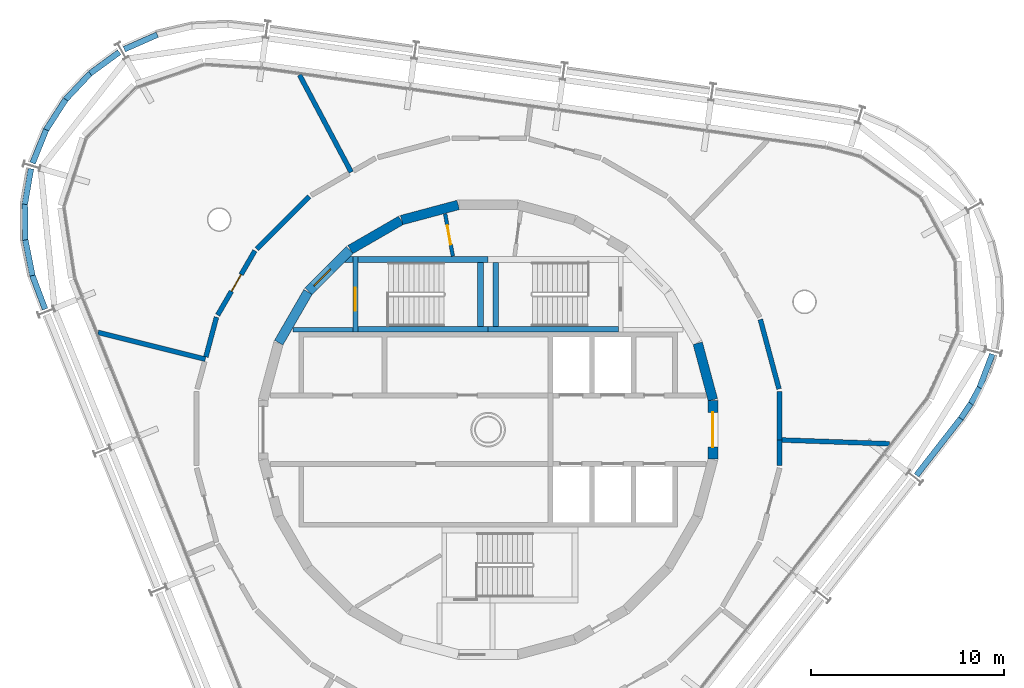
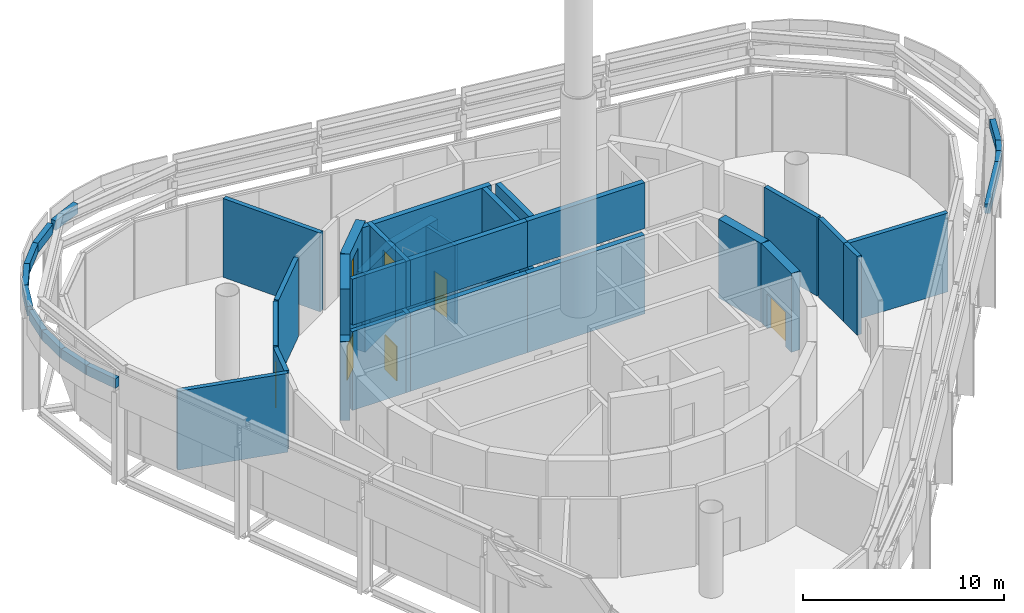
# One storey, part 11 of 15: 47 walls, 7 doors, 7 openings.
"""IFC4 building model written with IfcOpenShell, lengths in metres."""

from ifc_helpers import new_model, si_unit, direction, frame, frame_2d, origin, place, context, subcontext, project, spatial, polyline, rectangle, outline, extrude, material, layer, layer_set, type_object, element, fill, save


model = new_model("IFC4")

# Units and contexts
model_context = context("Model", 3, precision=1e-05, world=origin(), true_north=direction((0.0, 1.0)))
body_context = subcontext(model_context, "Body", "Model", "MODEL_VIEW")
ifc_project = project(units=[si_unit("LENGTHUNIT", "METRE"), si_unit("AREAUNIT", "SQUARE_METRE"), si_unit("VOLUMEUNIT", "CUBIC_METRE"), si_unit("PLANEANGLEUNIT", "RADIAN"), si_unit("MASSUNIT", "GRAM", prefix="KILO")], contexts=[model_context])

# Site, building, storey
site_placement = place(None, origin())
site = spatial("IfcSite", under=ifc_project, at=site_placement, CompositionType="ELEMENT")
building_placement = place(site_placement, origin())
building = spatial("IfcBuilding", under=site, at=building_placement, Name="Spindle Arch Residences", CompositionType="ELEMENT")
storey_placement = place(building_placement, frame((0.0, 0.0, 366.199951171875)))
storey = spatial("IfcBuildingStorey", under=building, at=storey_placement, Name="L94", CompositionType="ELEMENT", Elevation=366.199951171875)

# Wall, opening, door
ifc_material_1 = material(Name="Concrete C50/60", Category="concrete")
ifc_layer_1 = layer(ifc_material_1, 0.5)
ifc_layer_set_1 = layer_set([ifc_layer_1], Name="Core outline wall 500")
wall_type_1 = type_object("IfcWallType", Name="Core outline wall 500", PredefinedType="SHEAR", material=ifc_layer_set_1)
wall_1_placement = place(storey_placement, frame((11.647216796875, -1.516357421875, 0.0), z_axis=(0.0, 0.0, 1.0), x_axis=(0.0, 1.0, 0.0)))
wall_1 = element("IfcWall", 1, at=wall_1_placement, inside=storey, type_object=wall_type_1, Name="Core outline wall 6", PredefinedType="SHEAR", context=body_context, shape_type="SweptSolid", body=[
    extrude(rectangle(XDim=3.03271484375, YDim=0.5, at=frame_2d((1.516357421875, 0.0))), origin(), (0.0, 0.0, 1.0), 4.800048828125),
])
opening_1_placement = place(wall_1_placement, frame((0.6162109375, 0.0, 0.0)))
opening_1 = element("IfcOpeningElement", 2, at=opening_1_placement, cuts=wall_1, Name="Opening L94-FE01", PredefinedType="OPENING", context=body_context, shape_type="SweptSolid", body=[
    extrude(rectangle(XDim=1.800048828125, YDim=2.10009765625, at=frame_2d((0.89990234375, 1.050048828125))), frame((0.0, 0.260009765625, 0.0), z_axis=(0.0, -1.0, 0.0), x_axis=(1.0, 0.0, 0.0)), (0.0, 0.0, 1.0), 0.52001953125),
])
ifc_material_2 = material(Name="Steel, fire-resisting door", Category="steel")
door_type_1 = type_object("IfcDoorType", Name="Fire-lift lobby door 1800x2100", OperationType="DOUBLE_DOOR_SINGLE_SWING", PredefinedType="DOOR", material=ifc_material_2)
door_1_placement = place(opening_1_placement, origin())
door_1 = element("IfcDoor", 3, at=door_1_placement, inside=storey, type_object=door_type_1, Name="Fire-lift lobby door L94-FE01", OperationType="DOUBLE_DOOR_SINGLE_SWING", OverallHeight=2.10009765625, OverallWidth=1.800048828125, PredefinedType="DOOR", context=body_context, shape_type="SweptSolid", body=[
    extrude(rectangle(XDim=1.800048828125, YDim=2.10009765625, at=frame_2d((0.89990234375, 1.050048828125))), frame((0.0, 0.02490234375, 0.0), z_axis=(0.0, -1.0, 0.0), x_axis=(1.0, 0.0, 0.0)), (0.0, 0.0, 1.0), 0.050048828125),
])
fill(opening_1, door_1)

# Walls
for number, where, z_axis, x_axis, name in (
    (4, (11.642822265625, 1.5498046875, 0.0), (0.0, 0.0, 1.0), (-0.258734743916, 0.965948410781, 0.0), "Core outline wall 7"),
    (5, (-1.5498046875, 11.642822265625, 0.0), (0.0, 0.0, 1.0), (-0.965948410781, -0.258734743916, 0.0), "Core outline wall 13"),
    (6, (-4.510498046875, 10.84521484375, 0.0), (0.0, 0.0, 1.0), (-0.865975092491, -0.500087131594, 0.0), "Core outline wall 14"),
):
    element("IfcWall", number, at=place(storey_placement, frame(where, z_axis=z_axis, x_axis=x_axis)), inside=storey, type_object=wall_type_1, Name=name, PredefinedType="SHEAR", context=body_context, shape_type="SweptSolid", body=[
        extrude(rectangle(XDim=3.03271484375, YDim=0.5, at=frame_2d((1.516357421875, 0.0))), origin(), (0.0, 0.0, 1.0), 4.800048828125),
    ])

# Wall, opening, door
wall_2_placement = place(storey_placement, frame((-7.163818359375, 9.30810546875, 0.0), z_axis=(0.0, 0.0, 1.0), x_axis=(-0.707106781187, -0.707106781187, 0.0)))
wall_2 = element("IfcWall", 7, at=wall_2_placement, inside=storey, type_object=wall_type_1, Name="Core outline wall 15", PredefinedType="SHEAR", context=body_context, shape_type="SweptSolid", body=[
    extrude(rectangle(XDim=3.032470703125, YDim=0.5, at=frame_2d((1.51611328125, 0.0))), origin(), (0.0, 0.0, 1.0), 4.800048828125),
])
opening_2_placement = place(wall_2_placement, frame((1.416259765625, 0.0, 0.0)))
opening_2 = element("IfcOpeningElement", 8, at=opening_2_placement, cuts=wall_2, Name="Opening L94-AD02", PredefinedType="OPENING", context=body_context, shape_type="SweptSolid", body=[
    extrude(rectangle(XDim=1.199951171875, YDim=2.10009765625, at=frame_2d((0.60009765625, 1.050048828125))), frame((0.0, 0.260009765625, 0.0), z_axis=(0.0, -1.0, 0.0), x_axis=(1.0, 0.0, 0.0)), (0.0, 0.0, 1.0), 0.52001953125),
])
ifc_material_3 = material(Name="Steel, fire-resisting door", Category="steel")
door_type_2 = type_object("IfcDoorType", Name="Stair airlock door 1200x2100", OperationType="SINGLE_SWING_LEFT", PredefinedType="DOOR", material=ifc_material_3)
door_2_placement = place(opening_2_placement, origin())
door_2 = element("IfcDoor", 9, at=door_2_placement, inside=storey, type_object=door_type_2, Name="Stair airlock door L94-AD02", OperationType="SINGLE_SWING_RIGHT", OverallHeight=2.10009765625, OverallWidth=1.199951171875, PredefinedType="DOOR", context=body_context, shape_type="SweptSolid", body=[
    extrude(rectangle(XDim=1.199951171875, YDim=2.10009765625, at=frame_2d((0.60009765625, 1.050048828125))), frame((0.0, 0.02490234375, 0.0), z_axis=(0.0, -1.0, 0.0), x_axis=(1.0, 0.0, 0.0)), (0.0, 0.0, 1.0), 0.050048828125),
])
fill(opening_2, door_2)

# Walls
wall_3_placement = place(storey_placement, frame((-9.32861328125, 7.13671875, 0.0), z_axis=(0.0, 0.0, 1.0), x_axis=(-0.500087131594, -0.865975092491, 0.0)))
element("IfcWall", 10, at=wall_3_placement, inside=storey, type_object=wall_type_1, Name="Core outline wall 16", PredefinedType="SHEAR", context=body_context, shape_type="SweptSolid", body=[
    extrude(rectangle(XDim=3.03271484375, YDim=0.5, at=frame_2d((1.516357421875, 0.0))), origin(), (0.0, 0.0, 1.0), 4.800048828125),
])
wall_4_placement = place(storey_placement, frame((-9.32861328125, 7.13671875, 5.199951171875), z_axis=(0.0, 0.0, 1.0), x_axis=(-0.500087131594, -0.865975092491, 0.0)))
element("IfcWall", 11, at=wall_4_placement, inside=storey, type_object=wall_type_1, Name="Head-house ST-2 outer wall", PredefinedType="SHEAR", context=body_context, shape_type="SweptSolid", body=[
    extrude(rectangle(XDim=3.03271484375, YDim=0.5, at=frame_2d((1.516357421875, 0.0))), origin(), (0.0, 0.0, 1.0), 2.800048828125),
])

# Wall, opening, door
wall_5_placement = place(storey_placement, frame((-7.163818359375, 9.30810546875, 5.199951171875), z_axis=(0.0, 0.0, 1.0), x_axis=(-0.707106781187, -0.707106781187, 0.0)))
wall_5 = element("IfcWall", 12, at=wall_5_placement, inside=storey, type_object=wall_type_1, Name="Head-house ST-2 outer wall", PredefinedType="SHEAR", context=body_context, shape_type="SweptSolid", body=[
    extrude(rectangle(XDim=3.032470703125, YDim=0.5, at=frame_2d((1.51611328125, 0.0))), origin(), (0.0, 0.0, 1.0), 2.800048828125),
])
opening_3_placement = place(wall_5_placement, frame((1.416259765625, 0.0, 0.0)))
opening_3 = element("IfcOpeningElement", 13, at=opening_3_placement, cuts=wall_5, Name="Opening L94-RD02", PredefinedType="OPENING", context=body_context, shape_type="SweptSolid", body=[
    extrude(rectangle(XDim=1.199951171875, YDim=2.10009765625, at=frame_2d((0.60009765625, 1.050048828125))), frame((0.0, 0.260009765625, 0.0), z_axis=(0.0, -1.0, 0.0), x_axis=(1.0, 0.0, 0.0)), (0.0, 0.0, 1.0), 0.52001953125),
])
ifc_material_4 = material(Name="Steel, fire-resisting door", Category="steel")
door_type_3 = type_object("IfcDoorType", Name="Roof exit door 1200x2100", OperationType="SINGLE_SWING_LEFT", PredefinedType="DOOR", material=ifc_material_4)
door_3_placement = place(opening_3_placement, origin())
door_3 = element("IfcDoor", 14, at=door_3_placement, inside=storey, type_object=door_type_3, Name="Roof exit door L94-RD02", OperationType="SINGLE_SWING_LEFT", OverallHeight=2.10009765625, OverallWidth=1.199951171875, PredefinedType="DOOR", context=body_context, shape_type="SweptSolid", body=[
    extrude(rectangle(XDim=1.199951171875, YDim=2.10009765625, at=frame_2d((0.60009765625, 1.050048828125))), frame((0.0, 0.02490234375, 0.0), z_axis=(0.0, -1.0, 0.0), x_axis=(1.0, 0.0, 0.0)), (0.0, 0.0, 1.0), 0.050048828125),
])
fill(opening_3, door_3)

# Walls
ifc_material_5 = material(Name="Concrete C40/50", Category="concrete")
ifc_layer_2 = layer(ifc_material_5, 0.300048828125)
ifc_layer_set_2 = layer_set([ifc_layer_2], Name="Crown parapet infill 580")
wall_type_2 = type_object("IfcWallType", Name="Crown parapet infill 580", PredefinedType="PARAPET", material=ifc_layer_set_2)
wall_6_placement = place(storey_placement, frame((22.1875, -2.3623046875, 5.199951171875), z_axis=(0.0, 0.0, 1.0), x_axis=(0.615179708043, 0.788386914409, 0.0)))
element("IfcWall", 15, at=wall_6_placement, inside=storey, type_object=wall_type_2, Name="Crown parapet infill 2.1", PredefinedType="PARAPET", context=body_context, shape_type="SweptSolid", body=[
    extrude(rectangle(XDim=3.7353515625, YDim=0.300048828125, at=frame_2d((1.86767578125, 0.0))), origin(), (0.0, 0.0, 1.0), 0.580078125),
])
wall_7_placement = place(storey_placement, frame((24.482421875, 0.57861328125, 5.199951171875), z_axis=(0.0, 0.0, 1.0), x_axis=(0.5605087848, 0.828148478331, 0.0)))
element("IfcWall", 16, at=wall_7_placement, inside=storey, type_object=wall_type_2, Name="Crown parapet infill 2.2", PredefinedType="PARAPET", context=body_context, shape_type="SweptSolid", body=[
    extrude(rectangle(XDim=0.938720703125, YDim=0.300048828125, at=frame_2d((0.46923828125, 0.0))), origin(), (0.0, 0.0, 1.0), 0.580078125),
])
wall_8_placement = place(storey_placement, frame((25.0048828125, 1.35009765625, 5.199951171875), z_axis=(0.0, 0.0, 1.0), x_axis=(0.481719683318, 0.876325365777, 0.0)))
element("IfcWall", 17, at=wall_8_placement, inside=storey, type_object=wall_type_2, Name="Crown parapet infill 2.3", PredefinedType="PARAPET", context=body_context, shape_type="SweptSolid", body=[
    extrude(rectangle(XDim=0.941650390625, YDim=0.300048828125, at=frame_2d((0.470703125, 0.0))), origin(), (0.0, 0.0, 1.0), 0.580078125),
])
wall_9_placement = place(storey_placement, frame((25.4541015625, 2.165771484375, 5.199951171875), z_axis=(0.0, 0.0, 1.0), x_axis=(0.355957303336, 0.934502219474, 0.0)))
element("IfcWall", 18, at=wall_9_placement, inside=storey, type_object=wall_type_2, Name="Crown parapet infill 2.4", PredefinedType="PARAPET", context=body_context, shape_type="SweptSolid", body=[
    extrude(rectangle(XDim=1.868896484375, YDim=0.300048828125, at=frame_2d((0.9345703125, 0.0))), origin(), (0.0, 0.0, 1.0), 0.580078125),
])
wall_10_placement = place(storey_placement, frame((-17.1337890625, 20.4619140625, 5.199951171875), z_axis=(0.0, 0.0, 1.0), x_axis=(-0.914734844425, -0.404054655206, 0.0)))
element("IfcWall", 19, at=wall_10_placement, inside=storey, type_object=wall_type_2, Name="Crown parapet infill 9.4", PredefinedType="PARAPET", context=body_context, shape_type="SweptSolid", body=[
    extrude(rectangle(XDim=1.87060546875, YDim=0.300048828125, at=frame_2d((0.935302734375, 0.0))), origin(), (0.0, 0.0, 1.0), 0.580078125),
])
wall_11_placement = place(storey_placement, frame((-19.10498046875, 19.55615234375, 5.199951171875), z_axis=(0.0, 0.0, 1.0), x_axis=(-0.8078094248, -0.589443748974, 0.0)))
element("IfcWall", 20, at=wall_11_placement, inside=storey, type_object=wall_type_2, Name="Crown parapet infill 10.1", PredefinedType="PARAPET", context=body_context, shape_type="SweptSolid", body=[
    extrude(rectangle(XDim=1.870361328125, YDim=0.300048828125, at=frame_2d((0.93505859375, 0.0))), origin(), (0.0, 0.0, 1.0), 0.580078125),
])
for number, where, z_axis, x_axis, name in (
    (21, (-20.605712890625, 18.462646484375, 5.199951171875), (0.0, 0.0, 1.0), (-0.685729625386, -0.727856360052, 0.0), "Crown parapet infill 10.2"),
    (22, (-21.884765625, 17.10693359375, 5.199951171875), (0.0, 0.0, 1.0), (-0.540396091901, -0.841410758107, 0.0), "Crown parapet infill 10.3"),
):
    element("IfcWall", number, at=place(storey_placement, frame(where, z_axis=z_axis, x_axis=x_axis)), inside=storey, type_object=wall_type_2, Name=name, PredefinedType="PARAPET", context=body_context, shape_type="SweptSolid", body=[
        extrude(rectangle(XDim=1.877685546875, YDim=0.300048828125, at=frame_2d((0.93896484375, 0.0))), origin(), (0.0, 0.0, 1.0), 0.580078125),
    ])
for number, where, z_axis, x_axis, name in (
    (23, (-22.892822265625, 15.539306640625, 5.199951171875), (0.0, 0.0, 1.0), (-0.376538080043, -0.926401141125, 0.0), "Crown parapet infill 10.4"),
    (24, (-23.6796875, 13.517822265625, 5.199951171875), (0.0, 0.0, 1.0), (-0.170702256448, -0.985322657632, 0.0), "Crown parapet infill 11.1"),
):
    element("IfcWall", number, at=place(storey_placement, frame(where, z_axis=z_axis, x_axis=x_axis)), inside=storey, type_object=wall_type_2, Name=name, PredefinedType="PARAPET", context=body_context, shape_type="SweptSolid", body=[
        extrude(rectangle(XDim=1.87060546875, YDim=0.300048828125, at=frame_2d((0.935302734375, 0.0))), origin(), (0.0, 0.0, 1.0), 0.580078125),
    ])
wall_12_placement = place(storey_placement, frame((-23.998046875, 11.6884765625, 5.199951171875), z_axis=(0.0, 0.0, 1.0), x_axis=(0.013262812561, -0.999912045033, 0.0)))
element("IfcWall", 25, at=wall_12_placement, inside=storey, type_object=wall_type_2, Name="Crown parapet infill 11.2", PredefinedType="PARAPET", context=body_context, shape_type="SweptSolid", body=[
    extrude(rectangle(XDim=1.877685546875, YDim=0.300048828125, at=frame_2d((0.93896484375, 0.0))), origin(), (0.0, 0.0, 1.0), 0.580078125),
])
wall_13_placement = place(storey_placement, frame((-23.974609375, 9.82470703125, 5.199951171875), z_axis=(0.0, 0.0, 1.0), x_axis=(0.19681653543, -0.980440335452, 0.0)))
element("IfcWall", 26, at=wall_13_placement, inside=storey, type_object=wall_type_2, Name="Crown parapet infill 11.3", PredefinedType="PARAPET", context=body_context, shape_type="SweptSolid", body=[
    extrude(rectangle(XDim=1.876708984375, YDim=0.300048828125, at=frame_2d((0.9384765625, 0.0))), origin(), (0.0, 0.0, 1.0), 0.580078125),
])
wall_14_placement = place(storey_placement, frame((-23.608642578125, 7.996337890625, 5.199951171875), z_axis=(0.0, 0.0, 1.0), x_axis=(0.352581092229, -0.935781263652, 0.0)))
element("IfcWall", 27, at=wall_14_placement, inside=storey, type_object=wall_type_2, Name="Crown parapet infill 11.4", PredefinedType="PARAPET", context=body_context, shape_type="SweptSolid", body=[
    extrude(rectangle(XDim=1.87158203125, YDim=0.300048828125, at=frame_2d((0.935791015625, 0.0))), origin(), (0.0, 0.0, 1.0), 0.580078125),
])
ifc_material_6 = material(Name="Concrete C25/30 wall", Category="concrete")
ifc_layer_3 = layer(ifc_material_6, 0.25)
ifc_layer_set_3 = layer_set([ifc_layer_3], Name="Partition EI 120 250 plant")
wall_type_3 = type_object("IfcWallType", Name="Partition EI 120 250 plant", PredefinedType="PARTITIONING", material=ifc_layer_set_3)
wall_15_placement = place(storey_placement, frame((-14.64990234375, 3.64990234375, 0.0), z_axis=(0.0, 0.0, 1.0), x_axis=(-0.970034472151, 0.242967328748, 0.0)))
element("IfcWall", 28, at=wall_15_placement, inside=storey, type_object=wall_type_3, Name="L94-W003", PredefinedType="PARTITIONING", context=body_context, shape_type="SweptSolid", body=[
    extrude(rectangle(XDim=5.721435546875, YDim=0.25, at=frame_2d((2.86083984375, 0.0))), origin(), (0.0, 0.0, 1.0), 4.800048828125),
])
wall_16_placement = place(storey_placement, frame((-14.070068359375, 5.830078125, 0.0), z_axis=(0.0, 0.0, 1.0), x_axis=(-0.25709213915, -0.9663868956, 0.0)))
element("IfcWall", 29, at=wall_16_placement, inside=storey, type_object=wall_type_3, Name="L94-W007", PredefinedType="PARTITIONING", context=body_context, shape_type="SweptSolid", body=[
    extrude(rectangle(XDim=2.130859375, YDim=0.25, at=frame_2d((1.0654296875, 0.0))), origin(), (0.0, 0.0, 1.0), 4.800048828125),
])

# Wall, opening, door
wall_17_placement = place(storey_placement, frame((-12.080078125, 9.27001953125, 0.0), z_axis=(0.0, 0.0, 1.0), x_axis=(-0.500708693508, -0.865615852585, 0.0)))
wall_17 = element("IfcWall", 30, at=wall_17_placement, inside=storey, type_object=wall_type_3, Name="L94-W009", PredefinedType="PARTITIONING", context=body_context, shape_type="SweptSolid", body=[
    extrude(rectangle(XDim=3.84912109375, YDim=0.25, at=frame_2d((1.924560546875, 0.0))), origin(), (0.0, 0.0, 1.0), 4.800048828125),
])
opening_4_placement = place(wall_17_placement, frame((1.424560546875, 0.0, 0.0)))
opening_4 = element("IfcOpeningElement", 31, at=opening_4_placement, cuts=wall_17, Name="Opening L94-D07", PredefinedType="OPENING", context=body_context, shape_type="SweptSolid", body=[
    extrude(rectangle(XDim=1.0, YDim=2.10009765625, at=frame_2d((0.5, 1.050048828125))), frame((0.0, 0.135009765625, 0.0), z_axis=(0.0, -1.0, 0.0), x_axis=(1.0, 0.0, 0.0)), (0.0, 0.0, 1.0), 0.27001953125),
])
ifc_material_7 = material(Name="Steel door leaf, painted", Category="steel")
door_type_4 = type_object("IfcDoorType", Name="Door 1000x2100 EI 60", OperationType="SINGLE_SWING_LEFT", PredefinedType="DOOR", material=ifc_material_7)
door_4_placement = place(opening_4_placement, origin())
door_4 = element("IfcDoor", 32, at=door_4_placement, inside=storey, type_object=door_type_4, Name="L94-D07", OperationType="SINGLE_SWING_LEFT", OverallHeight=2.10009765625, OverallWidth=1.0, PredefinedType="DOOR", context=body_context, shape_type="SweptSolid", body=[
    extrude(rectangle(XDim=1.0, YDim=2.10009765625, at=frame_2d((0.5, 1.050048828125))), frame((0.0, 0.02490234375, 0.0), z_axis=(0.0, -1.0, 0.0), x_axis=(1.0, 0.0, 0.0)), (0.0, 0.0, 1.0), 0.050048828125),
])
fill(opening_4, door_4)

# Walls
wall_18_placement = place(storey_placement, frame((-9.77001953125, 18.3798828125, 0.0), z_axis=(0.0, 0.0, 1.0), x_axis=(0.469502312853, -0.882931242072, 0.0)))
element("IfcWall", 33, at=wall_18_placement, inside=storey, type_object=wall_type_3, Name="L94-W010", PredefinedType="PARTITIONING", context=body_context, shape_type="SweptSolid", body=[
    extrude(rectangle(XDim=5.7080078125, YDim=0.25, at=frame_2d((2.85400390625, 0.0))), origin(), (0.0, 0.0, 1.0), 4.800048828125),
])
wall_19_placement = place(storey_placement, frame((-9.27001953125, 12.080078125, 0.0), z_axis=(0.0, 0.0, 1.0), x_axis=(-0.707106781187, -0.707106781187, 0.0)))
element("IfcWall", 34, at=wall_19_placement, inside=storey, type_object=wall_type_3, Name="L94-W012", PredefinedType="PARTITIONING", context=body_context, shape_type="SweptSolid", body=[
    extrude(rectangle(XDim=3.84912109375, YDim=0.25, at=frame_2d((1.924560546875, 0.0))), origin(), (0.0, 0.0, 1.0), 4.800048828125),
])
wall_20_placement = place(storey_placement, frame((15.10009765625, -0.530029296875, 0.0), z_axis=(0.0, 0.0, 1.0), x_axis=(0.0, 1.0, 0.0)))
element("IfcWall", 35, at=wall_20_placement, inside=storey, type_object=wall_type_3, Name="L94-W037", PredefinedType="PARTITIONING", context=body_context, shape_type="SweptSolid", body=[
    extrude(rectangle(XDim=2.52001953125, YDim=0.25, at=frame_2d((1.260009765625, 0.0))), origin(), (0.0, 0.0, 1.0), 4.800048828125),
])
wall_21_placement = place(storey_placement, frame((15.067626953125, 2.11083984375, 0.0), z_axis=(0.0, 0.0, 1.0), x_axis=(-0.259106201401, 0.965848837239, 0.0)))
element("IfcWall", 36, at=wall_21_placement, inside=storey, type_object=wall_type_3, Name="L94-W039", PredefinedType="PARTITIONING", context=body_context, shape_type="SweptSolid", body=[
    extrude(rectangle(XDim=3.7255859375, YDim=0.25, at=frame_2d((1.86279296875, 0.0))), origin(), (0.0, 0.0, 1.0), 4.800048828125),
])
ifc_material_8 = material(Name="Concrete C25/30 wall", Category="concrete")
ifc_layer_4 = layer(ifc_material_8, 0.25)
ifc_layer_set_4 = layer_set([ifc_layer_4], Name="Partition EI 150 250 electrical")
wall_type_4 = type_object("IfcWallType", Name="Partition EI 150 250 electrical", PredefinedType="PARTITIONING", material=ifc_layer_set_4)
wall_22_placement = place(storey_placement, frame((15.10009765625, -1.864990234375, 0.0), z_axis=(0.0, 0.0, 1.0), x_axis=(0.0, 1.0, 0.0)))
element("IfcWall", 37, at=wall_22_placement, inside=storey, type_object=wall_type_4, Name="L94-W036", PredefinedType="PARTITIONING", context=body_context, shape_type="SweptSolid", body=[
    extrude(rectangle(XDim=1.3349609375, YDim=0.25, at=frame_2d((0.66748046875, 0.0))), origin(), (0.0, 0.0, 1.0), 4.800048828125),
])
wall_23_placement = place(storey_placement, frame((15.224853515625, -0.534423828125, 0.0), z_axis=(0.0, 0.0, 1.0), x_axis=(0.999385397325, -0.035054637557, 0.0)))
element("IfcWall", 38, at=wall_23_placement, inside=storey, type_object=wall_type_4, Name="L94-W038", PredefinedType="PARTITIONING", context=body_context, shape_type="SweptSolid", body=[
    extrude(rectangle(XDim=5.57861328125, YDim=0.25, at=frame_2d((2.789306640625, 0.0))), origin(), (0.0, 0.0, 1.0), 4.800048828125),
])

# Wall, opening, door
ifc_material_9 = material(Name="Concrete C25/30", Category="concrete")
ifc_layer_5 = layer(ifc_material_9, 0.18994140625)
ifc_layer_set_5 = layer_set([ifc_layer_5], Name="Plant room partition 190")
wall_type_5 = type_object("IfcWallType", Name="Plant room partition 190", PredefinedType="PARTITIONING", material=ifc_layer_set_5)
wall_24_placement = place(storey_placement, frame((-1.824951171875, 8.98974609375, 0.0), z_axis=(0.0, 0.0, 1.0), x_axis=(-0.179955206115, 0.983674805915, 0.0)))
wall_24 = element("IfcWall", 39, at=wall_24_placement, inside=storey, type_object=wall_type_5, Name="Core plant room partition", PredefinedType="PARTITIONING", context=body_context, shape_type="SweptSolid", body=[
    extrude(rectangle(XDim=2.22900390625, YDim=0.18994140625, at=frame_2d((1.114501953125, 0.0))), origin(), (0.0, 0.0, 1.0), 4.800048828125),
])
opening_5_placement = place(wall_24_placement, frame((0.614501953125, 0.0, 0.0)))
opening_5 = element("IfcOpeningElement", 40, at=opening_5_placement, cuts=wall_24, Name="Opening L94-PD07", PredefinedType="OPENING", context=body_context, shape_type="SweptSolid", body=[
    extrude(rectangle(XDim=1.0, YDim=2.39990234375, at=frame_2d((0.5, 1.199951171875))), frame((0.0, 0.10498046875, 0.0), z_axis=(0.0, -1.0, 0.0), x_axis=(1.0, 0.0, 0.0)), (0.0, 0.0, 1.0), 0.2099609375),
])
ifc_material_10 = material(Name="Steel, fire-resisting door", Category="steel")
door_type_5 = type_object("IfcDoorType", Name="Plant room door 1000x2400", OperationType="SINGLE_SWING_LEFT", PredefinedType="DOOR", material=ifc_material_10)
door_5_placement = place(opening_5_placement, origin())
door_5 = element("IfcDoor", 41, at=door_5_placement, inside=storey, type_object=door_type_5, Name="Plant room door L94-PD07", OperationType="SINGLE_SWING_RIGHT", OverallHeight=2.39990234375, OverallWidth=1.0, PredefinedType="DOOR", context=body_context, shape_type="SweptSolid", body=[
    extrude(rectangle(XDim=1.0, YDim=2.39990234375, at=frame_2d((0.5, 1.199951171875))), frame((0.0, 0.02490234375, 0.0), z_axis=(0.0, -1.0, 0.0), x_axis=(1.0, 0.0, 0.0)), (0.0, 0.0, 1.0), 0.050048828125),
])
fill(opening_5, door_5)

# Walls
ifc_material_11 = material(Name="Concrete C40/50", Category="concrete")
ifc_layer_6 = layer(ifc_material_11, 0.25)
ifc_layer_set_6 = layer_set([ifc_layer_6], Name="Stair airlock wall 250")
wall_type_6 = type_object("IfcWallType", Name="Stair airlock wall 250", PredefinedType="SHEAR", material=ifc_layer_set_6)
wall_25_placement = place(storey_placement, frame((-7.0, 5.175048828125, 0.0), z_axis=(0.0, 0.0, 1.0), x_axis=(-1.0, 0.0, 0.0)))
element("IfcWall", 42, at=wall_25_placement, inside=storey, type_object=wall_type_6, Name="Stair ST-2 airlock wall S", PredefinedType="SHEAR", context=body_context, shape_type="SweptSolid", body=[
    extrude(rectangle(XDim=3.10009765625, YDim=0.25, at=frame_2d((1.550048828125, 0.0))), origin(), (0.0, 0.0, 1.0), 4.800048828125),
])
wall_26_placement = place(storey_placement, frame((-7.0, 5.175048828125, 5.199951171875), z_axis=(0.0, 0.0, 1.0), x_axis=(-1.0, 0.0, 0.0)))
element("IfcWall", 43, at=wall_26_placement, inside=storey, type_object=wall_type_6, Name="Head-house ST-2 vestibule wall S", PredefinedType="SHEAR", context=body_context, shape_type="SweptSolid", body=[
    extrude(rectangle(XDim=3.10009765625, YDim=0.25, at=frame_2d((1.550048828125, 0.0))), origin(), (0.0, 0.0, 1.0), 2.800048828125),
])
ifc_material_12 = material(Name="Concrete C40/50", Category="concrete")
wall_type_7 = type_object("IfcWallType", Name="Stair airlock wall profile", PredefinedType="SHEAR", material=ifc_material_12)
wall_27_placement = place(storey_placement, origin())
element("IfcWall", 44, at=wall_27_placement, inside=storey, type_object=wall_type_7, Name="Stair ST-2 airlock wall N", PredefinedType="SHEAR", context=body_context, shape_type="SweptSolid", body=[
    extrude(outline(polyline([(-7.148193359375, 8.969970703125), (-7.0, 8.969970703125), (-7.0, 8.669921875), (-7.4482421875, 8.669921875), (-7.148193359375, 8.969970703125)])), origin(), (0.0, 0.0, 1.0), 4.800048828125),
])
wall_28_placement = place(storey_placement, frame((0.0, 0.0, 5.199951171875)))
element("IfcWall", 45, at=wall_28_placement, inside=storey, type_object=wall_type_7, Name="Head-house ST-2 vestibule wall N", PredefinedType="SHEAR", context=body_context, shape_type="SweptSolid", body=[
    extrude(outline(polyline([(-7.148193359375, 8.969970703125), (-7.0, 8.969970703125), (-7.0, 8.669921875), (-7.4482421875, 8.669921875), (-7.148193359375, 8.969970703125)])), origin(), (0.0, 0.0, 1.0), 2.800048828125),
])

# Wall, opening, door
ifc_material_13 = material(Name="Concrete C50/60", Category="concrete")
ifc_layer_7 = layer(ifc_material_13, 0.25)
ifc_layer_set_7 = layer_set([ifc_layer_7], Name="Stair enclosure wall 250")
wall_type_8 = type_object("IfcWallType", Name="Stair enclosure wall 250", PredefinedType="SHEAR", material=ifc_layer_set_7)
wall_29_placement = place(storey_placement, frame((-6.875, 8.969970703125, 0.0), z_axis=(0.0, 0.0, 1.0), x_axis=(0.0, -1.0, 0.0)))
wall_29 = element("IfcWall", 46, at=wall_29_placement, inside=storey, type_object=wall_type_8, Name="Stair ST-2 door wall", PredefinedType="SHEAR", context=body_context, shape_type="SweptSolid", body=[
    extrude(rectangle(XDim=3.919921875, YDim=0.25, at=frame_2d((1.9599609375, 0.0))), origin(), (0.0, 0.0, 1.0), 4.800048828125),
])
opening_6_placement = place(wall_29_placement, frame((1.610107421875, 0.0, 0.0)))
opening_6 = element("IfcOpeningElement", 47, at=opening_6_placement, cuts=wall_29, Name="Opening L94-SD02", PredefinedType="OPENING", context=body_context, shape_type="SweptSolid", body=[
    extrude(rectangle(XDim=1.199951171875, YDim=2.10009765625, at=frame_2d((0.60009765625, 1.050048828125))), frame((0.0, 0.135009765625, 0.0), z_axis=(0.0, -1.0, 0.0), x_axis=(1.0, 0.0, 0.0)), (0.0, 0.0, 1.0), 0.27001953125),
])
ifc_material_14 = material(Name="Steel, fire-resisting door", Category="steel")
door_type_6 = type_object("IfcDoorType", Name="Stair door 1200x2100", OperationType="SINGLE_SWING_RIGHT", PredefinedType="DOOR", material=ifc_material_14)
door_6_placement = place(opening_6_placement, origin())
door_6 = element("IfcDoor", 48, at=door_6_placement, inside=storey, type_object=door_type_6, Name="Stair door L94-SD02", OperationType="SINGLE_SWING_LEFT", OverallHeight=2.10009765625, OverallWidth=1.199951171875, PredefinedType="DOOR", context=body_context, shape_type="SweptSolid", body=[
    extrude(rectangle(XDim=1.199951171875, YDim=2.10009765625, at=frame_2d((0.60009765625, 1.050048828125))), frame((0.0, 0.02490234375, 0.0), z_axis=(0.0, -1.0, 0.0), x_axis=(1.0, 0.0, 0.0)), (0.0, 0.0, 1.0), 0.050048828125),
])
fill(opening_6, door_6)

wall_30_placement = place(storey_placement, frame((-6.875, 8.969970703125, 5.199951171875), z_axis=(0.0, 0.0, 1.0), x_axis=(0.0, -1.0, 0.0)))
wall_30 = element("IfcWall", 49, at=wall_30_placement, inside=storey, type_object=wall_type_8, Name="Head-house ST-2 door wall", PredefinedType="SHEAR", context=body_context, shape_type="SweptSolid", body=[
    extrude(rectangle(XDim=3.919921875, YDim=0.25, at=frame_2d((1.9599609375, 0.0))), origin(), (0.0, 0.0, 1.0), 2.800048828125),
])
opening_7_placement = place(wall_30_placement, frame((1.610107421875, 0.0, 0.0)))
opening_7 = element("IfcOpeningElement", 50, at=opening_7_placement, cuts=wall_30, Name="Opening L94-SD05", PredefinedType="OPENING", context=body_context, shape_type="SweptSolid", body=[
    extrude(rectangle(XDim=1.199951171875, YDim=2.10009765625, at=frame_2d((0.60009765625, 1.050048828125))), frame((0.0, 0.135009765625, 0.0), z_axis=(0.0, -1.0, 0.0), x_axis=(1.0, 0.0, 0.0)), (0.0, 0.0, 1.0), 0.27001953125),
])
door_7_placement = place(opening_7_placement, origin())
door_7 = element("IfcDoor", 51, at=door_7_placement, inside=storey, type_object=door_type_6, Name="Stair door L94-SD05", OperationType="SINGLE_SWING_RIGHT", OverallHeight=2.10009765625, OverallWidth=1.199951171875, PredefinedType="DOOR", context=body_context, shape_type="SweptSolid", body=[
    extrude(rectangle(XDim=1.199951171875, YDim=2.10009765625, at=frame_2d((0.60009765625, 1.050048828125))), frame((0.0, 0.02490234375, 0.0), z_axis=(0.0, -1.0, 0.0), x_axis=(1.0, 0.0, 0.0)), (0.0, 0.0, 1.0), 0.050048828125),
])
fill(opening_7, door_7)

# Walls
ifc_material_15 = material(Name="Concrete C50/60", Category="concrete")
ifc_layer_8 = layer(ifc_material_15, 0.300048828125)
ifc_layer_set_8 = layer_set([ifc_layer_8], Name="Stair enclosure wall 300")
wall_type_9 = type_object("IfcWallType", Name="Stair enclosure wall 300", PredefinedType="SHEAR", material=ifc_layer_set_8)
wall_31_placement = place(storey_placement, frame((0.0, 5.199951171875, 0.0), z_axis=(0.0, 0.0, 1.0), x_axis=(1.0, 0.0, 0.0)))
element("IfcWall", 52, at=wall_31_placement, inside=storey, type_object=wall_type_9, Name="Stair ST-1 enclosure wall S", PredefinedType="SHEAR", context=body_context, shape_type="SweptSolid", body=[
    extrude(rectangle(XDim=6.75, YDim=0.300048828125, at=frame_2d((3.375, 0.0))), origin(), (0.0, 0.0, 1.0), 4.800048828125),
])
wall_32_placement = place(storey_placement, frame((0.39990234375, 5.35009765625, 0.0), z_axis=(0.0, 0.0, 1.0), x_axis=(0.0, 1.0, 0.0)))
element("IfcWall", 53, at=wall_32_placement, inside=storey, type_object=wall_type_9, Name="Stair ST-1 enclosure wall F", PredefinedType="SHEAR", context=body_context, shape_type="SweptSolid", body=[
    extrude(rectangle(XDim=3.31982421875, YDim=0.300048828125, at=frame_2d((1.659912109375, 0.0))), origin(), (0.0, 0.0, 1.0), 4.800048828125),
])
for number, where, z_axis, x_axis, name in (
    (54, (-6.75, 5.199951171875, 0.0), (0.0, 0.0, 1.0), (1.0, 0.0, 0.0), "Stair ST-2 enclosure wall S"),
    (55, (-6.75, 8.820068359375, 0.0), (0.0, 0.0, 1.0), (1.0, 0.0, 0.0), "Stair ST-2 enclosure wall N"),
):
    element("IfcWall", number, at=place(storey_placement, frame(where, z_axis=z_axis, x_axis=x_axis)), inside=storey, type_object=wall_type_9, Name=name, PredefinedType="SHEAR", context=body_context, shape_type="SweptSolid", body=[
        extrude(rectangle(XDim=6.75, YDim=0.300048828125, at=frame_2d((3.375, 0.0))), origin(), (0.0, 0.0, 1.0), 4.800048828125),
    ])
wall_33_placement = place(storey_placement, frame((-0.39990234375, 5.35009765625, 0.0), z_axis=(0.0, 0.0, 1.0), x_axis=(0.0, 1.0, 0.0)))
element("IfcWall", 56, at=wall_33_placement, inside=storey, type_object=wall_type_9, Name="Stair ST-2 enclosure wall F", PredefinedType="SHEAR", context=body_context, shape_type="SweptSolid", body=[
    extrude(rectangle(XDim=3.31982421875, YDim=0.300048828125, at=frame_2d((1.659912109375, 0.0))), origin(), (0.0, 0.0, 1.0), 4.800048828125),
])
wall_34_placement = place(storey_placement, frame((0.0, 5.199951171875, 5.199951171875), z_axis=(0.0, 0.0, 1.0), x_axis=(1.0, 0.0, 0.0)))
element("IfcWall", 57, at=wall_34_placement, inside=storey, type_object=wall_type_9, Name="Head-house ST-1 wall S", PredefinedType="SHEAR", context=body_context, shape_type="SweptSolid", body=[
    extrude(rectangle(XDim=6.75, YDim=0.300048828125, at=frame_2d((3.375, 0.0))), origin(), (0.0, 0.0, 1.0), 2.800048828125),
])
wall_35_placement = place(storey_placement, frame((0.39990234375, 5.35009765625, 5.199951171875), z_axis=(0.0, 0.0, 1.0), x_axis=(0.0, 1.0, 0.0)))
element("IfcWall", 58, at=wall_35_placement, inside=storey, type_object=wall_type_9, Name="Head-house ST-1 wall F", PredefinedType="SHEAR", context=body_context, shape_type="SweptSolid", body=[
    extrude(rectangle(XDim=3.31982421875, YDim=0.300048828125, at=frame_2d((1.659912109375, 0.0))), origin(), (0.0, 0.0, 1.0), 2.800048828125),
])
for number, where, z_axis, x_axis, name in (
    (59, (-6.75, 5.199951171875, 5.199951171875), (0.0, 0.0, 1.0), (1.0, 0.0, 0.0), "Head-house ST-2 wall S"),
    (60, (-6.75, 8.820068359375, 5.199951171875), (0.0, 0.0, 1.0), (1.0, 0.0, 0.0), "Head-house ST-2 wall N"),
):
    element("IfcWall", number, at=place(storey_placement, frame(where, z_axis=z_axis, x_axis=x_axis)), inside=storey, type_object=wall_type_9, Name=name, PredefinedType="SHEAR", context=body_context, shape_type="SweptSolid", body=[
        extrude(rectangle(XDim=6.75, YDim=0.300048828125, at=frame_2d((3.375, 0.0))), origin(), (0.0, 0.0, 1.0), 2.800048828125),
    ])
wall_36_placement = place(storey_placement, frame((-0.39990234375, 5.35009765625, 5.199951171875), z_axis=(0.0, 0.0, 1.0), x_axis=(0.0, 1.0, 0.0)))
element("IfcWall", 61, at=wall_36_placement, inside=storey, type_object=wall_type_9, Name="Head-house ST-2 wall F", PredefinedType="SHEAR", context=body_context, shape_type="SweptSolid", body=[
    extrude(rectangle(XDim=3.31982421875, YDim=0.300048828125, at=frame_2d((1.659912109375, 0.0))), origin(), (0.0, 0.0, 1.0), 2.800048828125),
])

save(model, "model.ifc")
